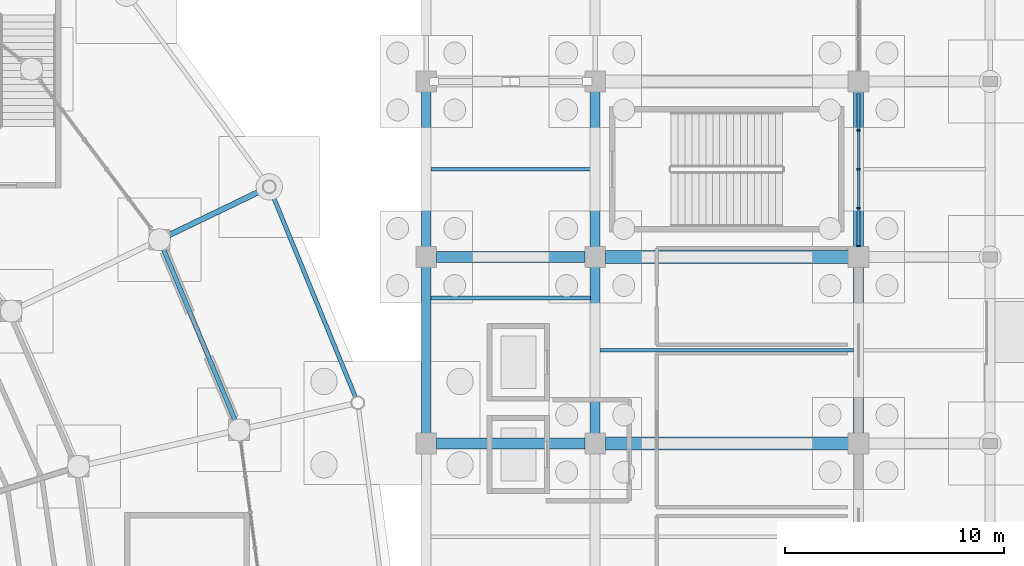
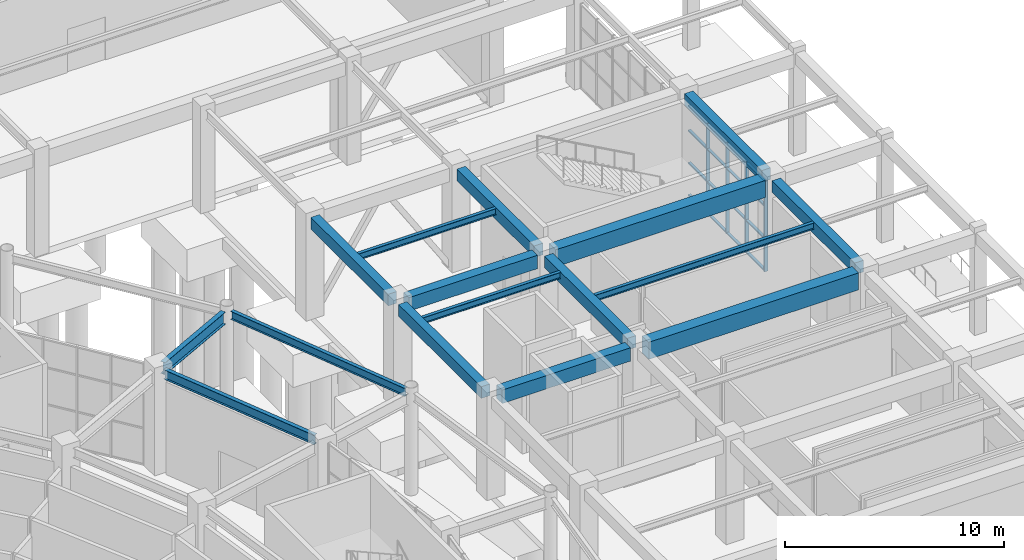
# One storey, part 59 of 121: 20 members, 16 beams, 1 element without a shape of its own.
"""IFC4 building model written with IfcOpenShell, lengths in metres."""

from ifc_helpers import new_model, si_unit, direction, frame, origin, origin_2d, place, context, subcontext, project, spatial, rectangle, i_section, extrude, material, material_profile, profile_set, type_object, element, aggregate, save


model = new_model("IFC4")

# Units and contexts
model_context = context("Model", 3, precision=1e-05, world=origin(), true_north=direction((0.0, 1.0)))
body_context = subcontext(model_context, "Body", "Model", "MODEL_VIEW")
ifc_project = project(units=[si_unit("LENGTHUNIT", "METRE"), si_unit("AREAUNIT", "SQUARE_METRE"), si_unit("VOLUMEUNIT", "CUBIC_METRE"), si_unit("PLANEANGLEUNIT", "RADIAN"), si_unit("MASSUNIT", "GRAM", prefix="KILO")], contexts=[model_context])

# Site, building, storey
site_placement = place(None, origin())
site = spatial("IfcSite", under=ifc_project, at=site_placement, CompositionType="ELEMENT")
building_placement = place(site_placement, origin())
building = spatial("IfcBuilding", under=site, at=building_placement, Name="Cuetzalor Civic Arena", CompositionType="ELEMENT")
storey_placement = place(building_placement, origin())
storey = spatial("IfcBuildingStorey", under=building, at=storey_placement, Name="L00", CompositionType="ELEMENT", Elevation=0.0)

# Beams
ifc_material_1 = material(Name="Concrete C40/50", Category="concrete")
ifc_material_profile_1 = material_profile(ifc_material_1, rectangle(XDim=0.5, YDim=0.75, at=origin_2d()), Name="RC 500x750")
ifc_profile_set_1 = profile_set([ifc_material_profile_1], Name="Concrete C40/50")
beam_type_1 = type_object("IfcBeamType", Name="ConcreteFrameBeam_500x750", PredefinedType="BEAM", material=ifc_profile_set_1)
for number, where, z_axis, x_axis, name in (
    (1, (56.764892578125, 8.5, 5.324951171875), (1.0, 0.0, 0.0), (0.0, 1.0, 0.0), "Frame Girder V4E-L00-X0159"),
    (2, (56.764892578125, 17.0, 5.324951171875), (1.0, 0.0, 0.0), (0.0, 1.0, 0.0), "Frame Girder V4E-L00-X0162"),
):
    element("IfcBeam", number, at=place(storey_placement, frame(where, z_axis=z_axis, x_axis=x_axis)), inside=storey, type_object=beam_type_1, Name=name, PredefinedType="BEAM", context=body_context, shape_type="SweptSolid", body=[
        extrude(rectangle(XDim=0.5, YDim=0.75, at=origin_2d()), origin(), (0.0, 0.0, 1.0), 6.77001953125),
    ])
ifc_material_2 = material(Name="Concrete C40/50", Category="concrete")
ifc_material_profile_2 = material_profile(ifc_material_2, rectangle(XDim=0.60009765625, YDim=0.949951171875, at=origin_2d()), Name="RC 600x950")
ifc_profile_set_2 = profile_set([ifc_material_profile_2], Name="Concrete C40/50")
beam_type_2 = type_object("IfcBeamType", Name="ConcreteFrameBeam_600x950", PredefinedType="BEAM", material=ifc_profile_set_2)
for number, where, z_axis, x_axis, name in (
    (3, (64.465087890625, 8.5, 5.22509765625), (1.0, 0.0, 0.0), (0.0, 1.0, 0.0), "Frame Girder V4E-L00-X0160"),
    (4, (64.465087890625, 17.0, 5.22509765625), (1.0, 0.0, 0.0), (0.0, 1.0, 0.0), "Frame Girder V4E-L00-X0163"),
):
    element("IfcBeam", number, at=place(storey_placement, frame(where, z_axis=z_axis, x_axis=x_axis)), inside=storey, type_object=beam_type_2, Name=name, PredefinedType="BEAM", context=body_context, shape_type="SweptSolid", body=[
        extrude(rectangle(XDim=0.60009765625, YDim=0.949951171875, at=origin_2d()), origin(), (0.0, 0.0, 1.0), 11.06982421875),
    ])
ifc_material_3 = material(Name="Concrete C40/50", Category="concrete")
ifc_material_profile_3 = material_profile(ifc_material_3, rectangle(XDim=0.449951171875, YDim=0.64990234375, at=origin_2d()), Name="RC 450x650")
ifc_profile_set_3 = profile_set([ifc_material_profile_3], Name="Concrete C40/50")
beam_type_3 = type_object("IfcBeamType", Name="ConcreteTieBeam_450x650", PredefinedType="BEAM", material=ifc_profile_set_3)
beam_1_placement = place(storey_placement, frame((56.300048828125, 8.965087890625, 5.375), z_axis=(0.0, 1.0, 0.0), x_axis=(-1.0, 0.0, 0.0)))
element("IfcBeam", 5, at=beam_1_placement, inside=storey, type_object=beam_type_3, Name="Frame Girder V4E-L00-Y0180", PredefinedType="BEAM", context=body_context, shape_type="SweptSolid", body=[
    extrude(rectangle(XDim=0.449951171875, YDim=0.64990234375, at=origin_2d()), origin(), (0.0, 0.0, 1.0), 7.56982421875),
])
beam_2_placement = place(storey_placement, frame((56.300048828125, 17.465087890625, 5.375), z_axis=(0.0, 1.0, 0.0), x_axis=(-1.0, 0.0, 0.0)))
element("IfcBeam", 6, at=beam_2_placement, inside=storey, type_object=beam_type_3, Name="Frame Girder V4E-L00-Y0181", PredefinedType="BEAM", context=body_context, shape_type="SweptSolid", body=[
    extrude(rectangle(XDim=0.449951171875, YDim=0.64990234375, at=origin_2d()), origin(), (0.0, 0.0, 1.0), 7.06982421875),
])
beam_3_placement = place(storey_placement, frame((64.0, 8.965087890625, 5.375), z_axis=(0.0, 1.0, 0.0), x_axis=(-1.0, 0.0, 0.0)))
element("IfcBeam", 7, at=beam_3_placement, inside=storey, type_object=beam_type_3, Name="Frame Girder V4E-L00-Y0190", PredefinedType="BEAM", context=body_context, shape_type="SweptSolid", body=[
    extrude(rectangle(XDim=0.449951171875, YDim=0.64990234375, at=origin_2d()), origin(), (0.0, 0.0, 1.0), 7.56982421875),
])
beam_4_placement = place(storey_placement, frame((64.0, 17.465087890625, 5.375), z_axis=(0.0, 1.0, 0.0), x_axis=(-1.0, 0.0, 0.0)))
element("IfcBeam", 8, at=beam_4_placement, inside=storey, type_object=beam_type_3, Name="Frame Girder V4E-L00-Y0191", PredefinedType="BEAM", context=body_context, shape_type="SweptSolid", body=[
    extrude(rectangle(XDim=0.449951171875, YDim=0.64990234375, at=origin_2d()), origin(), (0.0, 0.0, 1.0), 7.06982421875),
])
beam_5_placement = place(storey_placement, frame((76.0, 8.965087890625, 5.375), z_axis=(0.0, 1.0, 0.0), x_axis=(-1.0, 0.0, 0.0)))
element("IfcBeam", 9, at=beam_5_placement, inside=storey, type_object=beam_type_3, Name="Frame Girder V4E-L00-Y0200", PredefinedType="BEAM", context=body_context, shape_type="SweptSolid", body=[
    extrude(rectangle(XDim=0.449951171875, YDim=0.64990234375, at=origin_2d()), origin(), (0.0, 0.0, 1.0), 7.56982421875),
])
beam_6_placement = place(storey_placement, frame((76.0, 17.465087890625, 5.375), z_axis=(0.0, 1.0, 0.0), x_axis=(-1.0, 0.0, 0.0)))
element("IfcBeam", 10, at=beam_6_placement, inside=storey, type_object=beam_type_3, Name="Frame Girder V4E-L00-Y0201", PredefinedType="BEAM", context=body_context, shape_type="SweptSolid", body=[
    extrude(rectangle(XDim=0.449951171875, YDim=0.64990234375, at=origin_2d()), origin(), (0.0, 0.0, 1.0), 7.06982421875),
])

# Curtain wall, members
ifc_material_4 = material(Name="Anodised dark bronze aluminium and low-E solar glass", Category="aluminium")
curtain_wall_type = type_object("IfcCurtainWallType", Name="UnitisedCW_7100x5050", PredefinedType="USERDEFINED", material=ifc_material_4)
curtain_wall_placement = place(storey_placement, origin())
curtain_wall = element("IfcCurtainWall", 11, at=curtain_wall_placement, inside=storey, type_object=curtain_wall_type, Name="V4E Colonnade Curtain Wall L00-133", ObjectType="UNITISED CURTAIN WALL", PredefinedType="USERDEFINED")
ifc_material_5 = material(Name="Anodised dark bronze aluminium", Category="aluminium")
ifc_material_profile_4 = material_profile(ifc_material_5, rectangle(XDim=0.070068359375, YDim=0.179931640625, at=origin_2d()), Name="ALU MULLION 70x180")
ifc_profile_set_4 = profile_set([ifc_material_profile_4], Name="Anodised dark bronze aluminium")
member_type_1 = type_object("IfcMemberType", Name="CurtainWallMullion_65x180", PredefinedType="MULLION", material=ifc_profile_set_4)
member_1_placement = place(storey_placement, frame((76.0, 22.771484375, 0.0), z_axis=(0.0, 0.0, 1.0), x_axis=(0.0, -1.0, 0.0)))
member_1 = element("IfcMember", 12, at=member_1_placement, type_object=member_type_1, Name="CW-34 mullion 2", PredefinedType="MULLION", context=body_context, shape_type="SweptSolid", body=[
    extrude(rectangle(XDim=0.070068359375, YDim=0.179931640625, at=origin_2d()), origin(), (0.0, 0.0, 1.0), 5.0400390625),
])
member_2_placement = place(storey_placement, frame((76.0, 21.0, 0.0), z_axis=(0.0, 0.0, 1.0), x_axis=(0.0, -1.0, 0.0)))
member_2 = element("IfcMember", 13, at=member_2_placement, type_object=member_type_1, Name="CW-34 mullion 3", PredefinedType="MULLION", context=body_context, shape_type="SweptSolid", body=[
    extrude(rectangle(XDim=0.070068359375, YDim=0.179931640625, at=origin_2d()), origin(), (0.0, 0.0, 1.0), 5.0400390625),
])
member_3_placement = place(storey_placement, frame((76.0, 19.228515625, 0.0), z_axis=(0.0, 0.0, 1.0), x_axis=(0.0, -1.0, 0.0)))
member_3 = element("IfcMember", 14, at=member_3_placement, type_object=member_type_1, Name="CW-34 mullion 4", PredefinedType="MULLION", context=body_context, shape_type="SweptSolid", body=[
    extrude(rectangle(XDim=0.070068359375, YDim=0.179931640625, at=origin_2d()), origin(), (0.0, 0.0, 1.0), 5.0400390625),
])
member_4_placement = place(storey_placement, frame((76.0, 17.491943359375, 0.0), z_axis=(0.0, 0.0, 1.0), x_axis=(0.0, -1.0, 0.0)))
member_4 = element("IfcMember", 15, at=member_4_placement, type_object=member_type_1, Name="CW-34 mullion 5", PredefinedType="MULLION", context=body_context, shape_type="SweptSolid", body=[
    extrude(rectangle(XDim=0.070068359375, YDim=0.179931640625, at=origin_2d()), origin(), (0.0, 0.0, 1.0), 5.0400390625),
])
ifc_material_6 = material(Name="Anodised dark bronze aluminium", Category="aluminium")
ifc_material_profile_5 = material_profile(ifc_material_6, rectangle(XDim=0.139892578125, YDim=0.070068359375, at=origin_2d()), Name="ALU TRANSOM 70x140")
ifc_profile_set_5 = profile_set([ifc_material_profile_5], Name="Anodised dark bronze aluminium")
member_type_2 = type_object("IfcMemberType", Name="CurtainWallTransom_65x140", PredefinedType="USERDEFINED", material=ifc_profile_set_5)
member_5_placement = place(storey_placement, frame((76.0, 24.472900390625, 0.034912109375), z_axis=(0.0, -1.0, 0.0), x_axis=(1.0, 0.0, 0.0)))
member_5 = element("IfcMember", 16, at=member_5_placement, type_object=member_type_2, Name="CW-34 transom 1.1", ObjectType="TRANSOM", PredefinedType="USERDEFINED", context=body_context, shape_type="SweptSolid", body=[
    extrude(rectangle(XDim=0.139892578125, YDim=0.070068359375, at=origin_2d()), origin(), (0.0, 0.0, 1.0), 1.66650390625),
])
member_6_placement = place(storey_placement, frame((76.0, 24.472900390625, 1.81396484375), z_axis=(0.0, -1.0, 0.0), x_axis=(1.0, 0.0, 0.0)))
member_6 = element("IfcMember", 17, at=member_6_placement, type_object=member_type_2, Name="CW-34 transom 1.2", ObjectType="TRANSOM", PredefinedType="USERDEFINED", context=body_context, shape_type="SweptSolid", body=[
    extrude(rectangle(XDim=0.139892578125, YDim=0.070068359375, at=origin_2d()), origin(), (0.0, 0.0, 1.0), 1.66650390625),
])
member_7_placement = place(storey_placement, frame((76.0, 24.472900390625, 3.62890625), z_axis=(0.0, -1.0, 0.0), x_axis=(1.0, 0.0, 0.0)))
member_7 = element("IfcMember", 18, at=member_7_placement, type_object=member_type_2, Name="CW-34 transom 1.3", ObjectType="TRANSOM", PredefinedType="USERDEFINED", context=body_context, shape_type="SweptSolid", body=[
    extrude(rectangle(XDim=0.139892578125, YDim=0.070068359375, at=origin_2d()), origin(), (0.0, 0.0, 1.0), 1.66650390625),
])
member_8_placement = place(storey_placement, frame((76.0, 24.472900390625, 5.0048828125), z_axis=(0.0, -1.0, 0.0), x_axis=(1.0, 0.0, 0.0)))
member_8 = element("IfcMember", 19, at=member_8_placement, type_object=member_type_2, Name="CW-34 transom 1.4", ObjectType="TRANSOM", PredefinedType="USERDEFINED", context=body_context, shape_type="SweptSolid", body=[
    extrude(rectangle(XDim=0.139892578125, YDim=0.070068359375, at=origin_2d()), origin(), (0.0, 0.0, 1.0), 1.66650390625),
])
member_9_placement = place(storey_placement, frame((76.0, 22.736572265625, 0.034912109375), z_axis=(0.0, -1.0, 0.0), x_axis=(1.0, 0.0, 0.0)))
member_9 = element("IfcMember", 20, at=member_9_placement, type_object=member_type_2, Name="CW-34 transom 2.1", ObjectType="TRANSOM", PredefinedType="USERDEFINED", context=body_context, shape_type="SweptSolid", body=[
    extrude(rectangle(XDim=0.139892578125, YDim=0.070068359375, at=origin_2d()), origin(), (0.0, 0.0, 1.0), 1.70166015625),
])
member_10_placement = place(storey_placement, frame((76.0, 22.736572265625, 1.81396484375), z_axis=(0.0, -1.0, 0.0), x_axis=(1.0, 0.0, 0.0)))
member_10 = element("IfcMember", 21, at=member_10_placement, type_object=member_type_2, Name="CW-34 transom 2.2", ObjectType="TRANSOM", PredefinedType="USERDEFINED", context=body_context, shape_type="SweptSolid", body=[
    extrude(rectangle(XDim=0.139892578125, YDim=0.070068359375, at=origin_2d()), origin(), (0.0, 0.0, 1.0), 1.70166015625),
])
member_11_placement = place(storey_placement, frame((76.0, 22.736572265625, 3.62890625), z_axis=(0.0, -1.0, 0.0), x_axis=(1.0, 0.0, 0.0)))
member_11 = element("IfcMember", 22, at=member_11_placement, type_object=member_type_2, Name="CW-34 transom 2.3", ObjectType="TRANSOM", PredefinedType="USERDEFINED", context=body_context, shape_type="SweptSolid", body=[
    extrude(rectangle(XDim=0.139892578125, YDim=0.070068359375, at=origin_2d()), origin(), (0.0, 0.0, 1.0), 1.70166015625),
])
member_12_placement = place(storey_placement, frame((76.0, 22.736572265625, 5.0048828125), z_axis=(0.0, -1.0, 0.0), x_axis=(1.0, 0.0, 0.0)))
member_12 = element("IfcMember", 23, at=member_12_placement, type_object=member_type_2, Name="CW-34 transom 2.4", ObjectType="TRANSOM", PredefinedType="USERDEFINED", context=body_context, shape_type="SweptSolid", body=[
    extrude(rectangle(XDim=0.139892578125, YDim=0.070068359375, at=origin_2d()), origin(), (0.0, 0.0, 1.0), 1.70166015625),
])
member_13_placement = place(storey_placement, frame((76.0, 20.965087890625, 0.034912109375), z_axis=(0.0, -1.0, 0.0), x_axis=(1.0, 0.0, 0.0)))
member_13 = element("IfcMember", 24, at=member_13_placement, type_object=member_type_2, Name="CW-34 transom 3.1", ObjectType="TRANSOM", PredefinedType="USERDEFINED", context=body_context, shape_type="SweptSolid", body=[
    extrude(rectangle(XDim=0.139892578125, YDim=0.070068359375, at=origin_2d()), origin(), (0.0, 0.0, 1.0), 1.70166015625),
])
member_14_placement = place(storey_placement, frame((76.0, 20.965087890625, 1.81396484375), z_axis=(0.0, -1.0, 0.0), x_axis=(1.0, 0.0, 0.0)))
member_14 = element("IfcMember", 25, at=member_14_placement, type_object=member_type_2, Name="CW-34 transom 3.2", ObjectType="TRANSOM", PredefinedType="USERDEFINED", context=body_context, shape_type="SweptSolid", body=[
    extrude(rectangle(XDim=0.139892578125, YDim=0.070068359375, at=origin_2d()), origin(), (0.0, 0.0, 1.0), 1.70166015625),
])
member_15_placement = place(storey_placement, frame((76.0, 20.965087890625, 3.62890625), z_axis=(0.0, -1.0, 0.0), x_axis=(1.0, 0.0, 0.0)))
member_15 = element("IfcMember", 26, at=member_15_placement, type_object=member_type_2, Name="CW-34 transom 3.3", ObjectType="TRANSOM", PredefinedType="USERDEFINED", context=body_context, shape_type="SweptSolid", body=[
    extrude(rectangle(XDim=0.139892578125, YDim=0.070068359375, at=origin_2d()), origin(), (0.0, 0.0, 1.0), 1.70166015625),
])
member_16_placement = place(storey_placement, frame((76.0, 20.965087890625, 5.0048828125), z_axis=(0.0, -1.0, 0.0), x_axis=(1.0, 0.0, 0.0)))
member_16 = element("IfcMember", 27, at=member_16_placement, type_object=member_type_2, Name="CW-34 transom 3.4", ObjectType="TRANSOM", PredefinedType="USERDEFINED", context=body_context, shape_type="SweptSolid", body=[
    extrude(rectangle(XDim=0.139892578125, YDim=0.070068359375, at=origin_2d()), origin(), (0.0, 0.0, 1.0), 1.70166015625),
])
member_17_placement = place(storey_placement, frame((76.0, 19.193603515625, 0.034912109375), z_axis=(0.0, -1.0, 0.0), x_axis=(1.0, 0.0, 0.0)))
member_17 = element("IfcMember", 28, at=member_17_placement, type_object=member_type_2, Name="CW-34 transom 4.1", ObjectType="TRANSOM", PredefinedType="USERDEFINED", context=body_context, shape_type="SweptSolid", body=[
    extrude(rectangle(XDim=0.139892578125, YDim=0.070068359375, at=origin_2d()), origin(), (0.0, 0.0, 1.0), 1.66650390625),
])
member_18_placement = place(storey_placement, frame((76.0, 19.193603515625, 1.81396484375), z_axis=(0.0, -1.0, 0.0), x_axis=(1.0, 0.0, 0.0)))
member_18 = element("IfcMember", 29, at=member_18_placement, type_object=member_type_2, Name="CW-34 transom 4.2", ObjectType="TRANSOM", PredefinedType="USERDEFINED", context=body_context, shape_type="SweptSolid", body=[
    extrude(rectangle(XDim=0.139892578125, YDim=0.070068359375, at=origin_2d()), origin(), (0.0, 0.0, 1.0), 1.66650390625),
])
member_19_placement = place(storey_placement, frame((76.0, 19.193603515625, 3.62890625), z_axis=(0.0, -1.0, 0.0), x_axis=(1.0, 0.0, 0.0)))
member_19 = element("IfcMember", 30, at=member_19_placement, type_object=member_type_2, Name="CW-34 transom 4.3", ObjectType="TRANSOM", PredefinedType="USERDEFINED", context=body_context, shape_type="SweptSolid", body=[
    extrude(rectangle(XDim=0.139892578125, YDim=0.070068359375, at=origin_2d()), origin(), (0.0, 0.0, 1.0), 1.66650390625),
])
member_20_placement = place(storey_placement, frame((76.0, 19.193603515625, 5.0048828125), z_axis=(0.0, -1.0, 0.0), x_axis=(1.0, 0.0, 0.0)))
member_20 = element("IfcMember", 31, at=member_20_placement, type_object=member_type_2, Name="CW-34 transom 4.4", ObjectType="TRANSOM", PredefinedType="USERDEFINED", context=body_context, shape_type="SweptSolid", body=[
    extrude(rectangle(XDim=0.139892578125, YDim=0.070068359375, at=origin_2d()), origin(), (0.0, 0.0, 1.0), 1.66650390625),
])
aggregate(curtain_wall, [member_1, member_2, member_3, member_4, member_5, member_6, member_7, member_8, member_9, member_10, member_11, member_12, member_13, member_14, member_15, member_16, member_17, member_18, member_19, member_20])

# Beams
ifc_material_7 = material(Name="Steel S355", Category="steel")
ifc_material_profile_6 = material_profile(ifc_material_7, i_section(OverallWidth=0.18994140625, OverallDepth=0.45703125, WebThickness=0.009033203125, FlangeThickness=0.014404296875, at=origin_2d()), Name="W460x74")
ifc_profile_set_6 = profile_set([ifc_material_profile_6], Name="Steel S355")
beam_type_4 = type_object("IfcBeamType", Name="FacadeSpandrelBeam_W460", PredefinedType="SPANDREL", material=ifc_profile_set_6)
beam_7_placement = place(storey_placement, frame((53.072265625, 10.626708984375, 5.471435546875), z_axis=(-0.379398599643, 0.925233323324, 0.0), x_axis=(-0.925233323324, -0.379398599643, 0.0)))
element("IfcBeam", 32, at=beam_7_placement, inside=storey, type_object=beam_type_4, Name="Drum Perimeter Spandrel L00-S02", PredefinedType="SPANDREL", context=body_context, shape_type="SweptSolid", body=[
    extrude(i_section(OverallWidth=0.18994140625, OverallDepth=0.45703125, WebThickness=0.009033203125, FlangeThickness=0.014404296875, at=origin_2d()), origin(), (0.0, 0.0, 1.0), 10.053955078125),
])
ifc_material_8 = material(Name="Steel S355", Category="steel")
ifc_material_profile_7 = material_profile(ifc_material_8, i_section(OverallWidth=0.1708984375, OverallDepth=0.35498046875, WebThickness=0.007080078125, FlangeThickness=0.01171875, at=origin_2d()), Name="W360x51")
ifc_profile_set_7 = profile_set([ifc_material_profile_7], Name="Steel S355")
beam_type_5 = type_object("IfcBeamType", Name="SecondaryFloorJoist_W360", PredefinedType="JOIST", material=ifc_profile_set_7)
for number, where, z_axis, x_axis, name in (
    (33, (56.51708984375, 15.1298828125, 5.5224609375), (1.0, 0.0, 0.0), (0.0, 1.0, 0.0), "Secondary Floor Joist V4E-L00-0051"),
    (34, (56.51708984375, 21.0, 5.5224609375), (1.0, 0.0, 0.0), (0.0, 1.0, 0.0), "Secondary Floor Joist V4E-L00-0052"),
):
    element("IfcBeam", number, at=place(storey_placement, frame(where, z_axis=z_axis, x_axis=x_axis)), inside=storey, type_object=beam_type_5, Name=name, PredefinedType="JOIST", context=body_context, shape_type="SweptSolid", body=[
        extrude(i_section(OverallWidth=0.1708984375, OverallDepth=0.35498046875, WebThickness=0.007080078125, FlangeThickness=0.01171875, at=origin_2d()), origin(), (0.0, 0.0, 1.0), 7.265869140625),
    ])
beam_8_placement = place(storey_placement, frame((64.217041015625, 12.75, 5.5224609375), z_axis=(1.0, 0.0, 0.0), x_axis=(0.0, 1.0, 0.0)))
element("IfcBeam", 35, at=beam_8_placement, inside=storey, type_object=beam_type_5, Name="Secondary Floor Joist V4E-L00-0059", PredefinedType="JOIST", context=body_context, shape_type="SweptSolid", body=[
    extrude(i_section(OverallWidth=0.1708984375, OverallDepth=0.35498046875, WebThickness=0.007080078125, FlangeThickness=0.01171875, at=origin_2d()), origin(), (0.0, 0.0, 1.0), 11.56591796875),
])
ifc_material_9 = material(Name="Steel S355", Category="steel")
ifc_material_profile_8 = material_profile(ifc_material_9, i_section(OverallWidth=0.208984375, OverallDepth=0.532958984375, WebThickness=0.01025390625, FlangeThickness=0.015625, at=origin_2d()), Name="W530x92")
ifc_profile_set_8 = profile_set([ifc_material_profile_8], Name="Steel S355")
beam_type_6 = type_object("IfcBeamType", Name="SteelCollarGirder_W530", PredefinedType="BEAM", material=ifc_profile_set_8)
beam_9_placement = place(storey_placement, frame((47.628662109375, 9.46484375, 5.43359375), z_axis=(-0.385813116722, 0.922576955579, 0.0), x_axis=(-0.922576955579, -0.385813116722, 0.0)))
element("IfcBeam", 36, at=beam_9_placement, inside=storey, type_object=beam_type_6, Name="Drum Concourse Ring Girder L00-S02", PredefinedType="BEAM", context=body_context, shape_type="SweptSolid", body=[
    extrude(i_section(OverallWidth=0.208984375, OverallDepth=0.532958984375, WebThickness=0.01025390625, FlangeThickness=0.015625, at=origin_2d()), origin(), (0.0, 0.0, 1.0), 8.65283203125),
])
ifc_material_10 = material(Name="Steel S355", Category="steel")
ifc_material_profile_9 = material_profile(ifc_material_10, i_section(OverallWidth=0.2529296875, OverallDepth=0.677978515625, WebThickness=0.01171875, FlangeThickness=0.016357421875, at=origin_2d()), Name="W690x125")
ifc_profile_set_9 = profile_set([ifc_material_profile_9], Name="Steel S355")
beam_type_7 = type_object("IfcBeamType", Name="SteelPrimaryGirder_W690", PredefinedType="BEAM", material=ifc_profile_set_9)
beam_10_placement = place(storey_placement, frame((44.4716796875, 17.9453125, 5.361083984375), z_axis=(0.900964883231, 0.433892013275, 0.0), x_axis=(-0.433892013275, 0.900964883231, 0.0)))
element("IfcBeam", 37, at=beam_10_placement, inside=storey, type_object=beam_type_7, Name="Drum Radial Girder L00-R03", PredefinedType="BEAM", context=body_context, shape_type="SweptSolid", body=[
    extrude(i_section(OverallWidth=0.2529296875, OverallDepth=0.677978515625, WebThickness=0.01171875, FlangeThickness=0.016357421875, at=origin_2d()), origin(), (0.0, 0.0, 1.0), 4.900390625),
])

save(model, "model.ifc")
